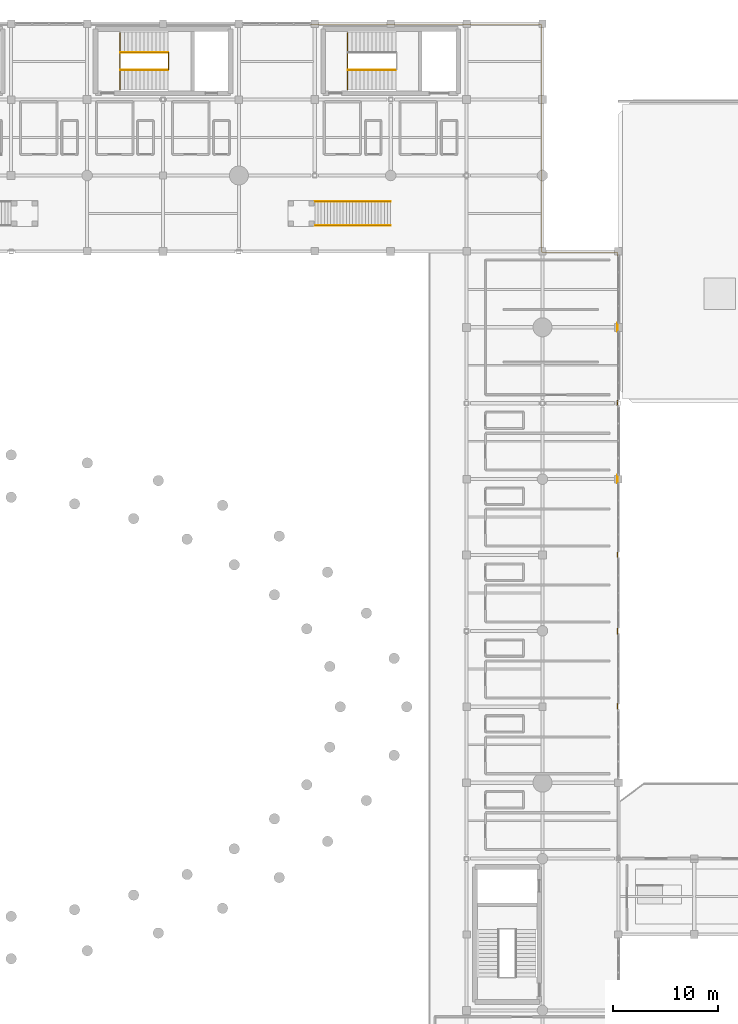
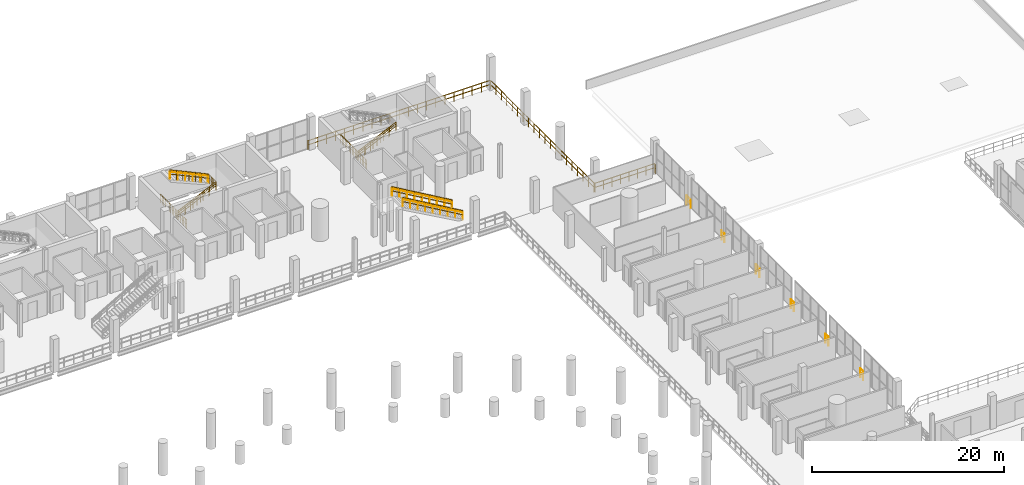
# One storey, part 126 of 130: 20 railings.
"""IFC4 building model written with IfcOpenShell, lengths in metres."""

from ifc_helpers import new_model, si_unit, direction, frame, origin, origin_2d, place, context, subcontext, project, spatial, circle, extrude, material, type_object, element, save


model = new_model("IFC4")

# Units and contexts
model_context = context("Model", 3, precision=1e-05, world=origin(), true_north=direction((0.0, 1.0)))
body_context = subcontext(model_context, "Body", "Model", "MODEL_VIEW")
ifc_project = project(units=[si_unit("LENGTHUNIT", "METRE"), si_unit("AREAUNIT", "SQUARE_METRE"), si_unit("VOLUMEUNIT", "CUBIC_METRE"), si_unit("PLANEANGLEUNIT", "RADIAN"), si_unit("MASSUNIT", "GRAM", prefix="KILO")], contexts=[model_context])

# Site, building, storey
site_placement = place(None, origin())
site = spatial("IfcSite", under=ifc_project, at=site_placement, CompositionType="ELEMENT")
building_placement = place(site_placement, origin())
building = spatial("IfcBuilding", under=site, at=building_placement, Name="Qandorah Velis Arena", CompositionType="ELEMENT")
storey_placement = place(building_placement, frame((0.0, 0.0, 9.60009765625)))
storey = spatial("IfcBuildingStorey", under=building, at=storey_placement, Name="L02", CompositionType="ELEMENT", Elevation=9.60009765625)

# Railings
ifc_material = material(Name="Stainless steel 316", Category="steel")
railing_type_1 = type_object("IfcRailingType", Name="ARC-RL-GRD1150", PredefinedType="GUARDRAIL", material=ifc_material)
railing_1_placement = place(storey_placement, frame((75.110107421875, 123.360107421875, 0.0)))
element("IfcRailing", 1, at=railing_1_placement, inside=storey, type_object=railing_type_1, Name="Stair ST4 landing well-slot guardrail L02", PredefinedType="GUARDRAIL", context=body_context, shape_type="SweptSolid", body=[
    extrude(circle(Radius=0.02392578125, at=origin_2d()), frame((0.0, 0.0, 1.1259765625), z_axis=(0.0, 1.0, 0.0), x_axis=(-1.0, 0.0, 0.0)), (0.0, 0.0, 1.0), 5.3798828125),
    extrude(circle(Radius=0.02392578125, at=origin_2d()), frame((0.0, 0.0, 0.597900390625), z_axis=(0.0, 1.0, 0.0), x_axis=(-1.0, 0.0, 0.0)), (0.0, 0.0, 1.0), 5.3798828125),
    extrude(circle(Radius=0.02099609375, at=origin_2d()), origin(), (0.0, 0.0, 1.0), 1.101806640625),
    extrude(circle(Radius=0.02099609375, at=origin_2d()), frame((0.0, 0.298828125, 0.0)), (0.0, 0.0, 1.0), 1.101806640625),
    extrude(circle(Radius=0.02099609375, at=origin_2d()), frame((0.0, 0.59765625, 0.0)), (0.0, 0.0, 1.0), 1.101806640625),
    extrude(circle(Radius=0.02099609375, at=origin_2d()), frame((0.0, 0.896728515625, 0.0)), (0.0, 0.0, 1.0), 1.101806640625),
    extrude(circle(Radius=0.02099609375, at=origin_2d()), frame((0.0, 1.195556640625, 0.0)), (0.0, 0.0, 1.0), 1.101806640625),
    extrude(circle(Radius=0.02099609375, at=origin_2d()), frame((0.0, 1.494384765625, 0.0)), (0.0, 0.0, 1.0), 1.101806640625),
    extrude(circle(Radius=0.02099609375, at=origin_2d()), frame((0.0, 1.793212890625, 0.0)), (0.0, 0.0, 1.0), 1.101806640625),
    extrude(circle(Radius=0.02099609375, at=origin_2d()), frame((0.0, 2.09228515625, 0.0)), (0.0, 0.0, 1.0), 1.101806640625),
    extrude(circle(Radius=0.02099609375, at=origin_2d()), frame((0.0, 2.39111328125, 0.0)), (0.0, 0.0, 1.0), 1.101806640625),
    extrude(circle(Radius=0.02099609375, at=origin_2d()), frame((0.0, 2.68994140625, 0.0)), (0.0, 0.0, 1.0), 1.101806640625),
    extrude(circle(Radius=0.02099609375, at=origin_2d()), frame((0.0, 2.98876953125, 0.0)), (0.0, 0.0, 1.0), 1.101806640625),
    extrude(circle(Radius=0.02099609375, at=origin_2d()), frame((0.0, 3.28759765625, 0.0)), (0.0, 0.0, 1.0), 1.101806640625),
    extrude(circle(Radius=0.02099609375, at=origin_2d()), frame((0.0, 3.586669921875, 0.0)), (0.0, 0.0, 1.0), 1.101806640625),
    extrude(circle(Radius=0.02099609375, at=origin_2d()), frame((0.0, 3.885498046875, 0.0)), (0.0, 0.0, 1.0), 1.101806640625),
    extrude(circle(Radius=0.02099609375, at=origin_2d()), frame((0.0, 4.184326171875, 0.0)), (0.0, 0.0, 1.0), 1.101806640625),
    extrude(circle(Radius=0.02099609375, at=origin_2d()), frame((0.0, 4.483154296875, 0.0)), (0.0, 0.0, 1.0), 1.101806640625),
    extrude(circle(Radius=0.02099609375, at=origin_2d()), frame((0.0, 4.7822265625, 0.0)), (0.0, 0.0, 1.0), 1.101806640625),
    extrude(circle(Radius=0.02099609375, at=origin_2d()), frame((0.0, 5.0810546875, 0.0)), (0.0, 0.0, 1.0), 1.101806640625),
    extrude(circle(Radius=0.02099609375, at=origin_2d()), frame((0.0, 5.3798828125, 0.0)), (0.0, 0.0, 1.0), 1.101806640625),
])
railing_2_placement = place(storey_placement, frame((79.74609375, 125.239990234375, 2.099853515625)))
element("IfcRailing", 2, at=railing_2_placement, inside=storey, type_object=railing_type_1, Name="Stair ST4 well guardrail (L02)", PredefinedType="GUARDRAIL", context=body_context, shape_type="SweptSolid", body=[
    extrude(circle(Radius=0.02392578125, at=origin_2d()), frame((0.0, 0.0, 1.1259765625), z_axis=(0.0, 1.0, 0.0), x_axis=(-1.0, 0.0, 0.0)), (0.0, 0.0, 1.0), 1.6201171875),
    extrude(circle(Radius=0.02392578125, at=origin_2d()), frame((0.0, 0.0, 0.597900390625), z_axis=(0.0, 1.0, 0.0), x_axis=(-1.0, 0.0, 0.0)), (0.0, 0.0, 1.0), 1.6201171875),
    extrude(circle(Radius=0.02099609375, at=origin_2d()), origin(), (0.0, 0.0, 1.0), 1.101806640625),
    extrude(circle(Radius=0.02099609375, at=origin_2d()), frame((0.0, 0.27001953125, 0.0)), (0.0, 0.0, 1.0), 1.101806640625),
    extrude(circle(Radius=0.02099609375, at=origin_2d()), frame((0.0, 0.5400390625, 0.0)), (0.0, 0.0, 1.0), 1.101806640625),
    extrude(circle(Radius=0.02099609375, at=origin_2d()), frame((0.0, 0.81005859375, 0.0)), (0.0, 0.0, 1.0), 1.101806640625),
    extrude(circle(Radius=0.02099609375, at=origin_2d()), frame((0.0, 1.080078125, 0.0)), (0.0, 0.0, 1.0), 1.101806640625),
    extrude(circle(Radius=0.02099609375, at=origin_2d()), frame((0.0, 1.35009765625, 0.0)), (0.0, 0.0, 1.0), 1.101806640625),
    extrude(circle(Radius=0.02099609375, at=origin_2d()), frame((0.0, 1.6201171875, 0.0)), (0.0, 0.0, 1.0), 1.101806640625),
])
railing_3_placement = place(storey_placement, frame((75.14990234375, 125.22998046875, 0.0)))
element("IfcRailing", 3, at=railing_3_placement, inside=storey, type_object=railing_type_1, Name="Stair ST4 inner flight 1 guardrail (L02)", PredefinedType="GUARDRAIL", context=body_context, shape_type="SweptSolid", body=[
    extrude(circle(Radius=0.02392578125, at=origin_2d()), frame((0.0, 0.0, 1.1259765625), z_axis=(0.907482768716, 0.0, 0.420089305367), x_axis=(0.0, 1.0, 0.0)), (0.0, 0.0, 1.0), 4.99853515625),
    extrude(circle(Radius=0.02392578125, at=origin_2d()), frame((0.0, 0.0, 0.597900390625), z_axis=(0.907482768716, 0.0, 0.420089305367), x_axis=(0.0, 1.0, 0.0)), (0.0, 0.0, 1.0), 4.99853515625),
    extrude(circle(Radius=0.02099609375, at=origin_2d()), origin(), (0.0, 0.0, 1.0), 1.101806640625),
    extrude(circle(Radius=0.02099609375, at=origin_2d()), frame((0.756103515625, 0.0, 0.35009765625)), (0.0, 0.0, 1.0), 1.101806640625),
    extrude(circle(Radius=0.02099609375, at=origin_2d()), frame((1.511962890625, 0.0, 0.699951171875)), (0.0, 0.0, 1.0), 1.101806640625),
    extrude(circle(Radius=0.02099609375, at=origin_2d()), frame((2.26806640625, 0.0, 1.0498046875)), (0.0, 0.0, 1.0), 1.101806640625),
    extrude(circle(Radius=0.02099609375, at=origin_2d()), frame((3.024169921875, 0.0, 1.39990234375)), (0.0, 0.0, 1.0), 1.101806640625),
    extrude(circle(Radius=0.02099609375, at=origin_2d()), frame((3.780029296875, 0.0, 1.75)), (0.0, 0.0, 1.0), 1.101806640625),
    extrude(circle(Radius=0.02099609375, at=origin_2d()), frame((4.5361328125, 0.0, 2.099853515625)), (0.0, 0.0, 1.0), 1.101806640625),
])
railing_4_placement = place(storey_placement, frame((79.68603515625, 126.8701171875, 2.099853515625)))
element("IfcRailing", 4, at=railing_4_placement, inside=storey, type_object=railing_type_1, Name="Stair ST4 inner flight 2 guardrail (L02)", PredefinedType="GUARDRAIL", context=body_context, shape_type="SweptSolid", body=[
    extrude(circle(Radius=0.02392578125, at=origin_2d()), frame((0.0, 0.0, 1.1259765625), z_axis=(-0.907464148506, 0.0, 0.420129526666), x_axis=(0.0, -1.0, 0.0)), (0.0, 0.0, 1.0), 4.998779296875),
    extrude(circle(Radius=0.02392578125, at=origin_2d()), frame((0.0, 0.0, 0.597900390625), z_axis=(-0.907464148506, 0.0, 0.420129526666), x_axis=(0.0, -1.0, 0.0)), (0.0, 0.0, 1.0), 4.998779296875),
    extrude(circle(Radius=0.02099609375, at=origin_2d()), origin(), (0.0, 0.0, 1.0), 1.101806640625),
    extrude(circle(Radius=0.02099609375, at=origin_2d()), frame((-0.756103515625, 0.0, 0.35009765625)), (0.0, 0.0, 1.0), 1.101806640625),
    extrude(circle(Radius=0.02099609375, at=origin_2d()), frame((-1.511962890625, 0.0, 0.699951171875)), (0.0, 0.0, 1.0), 1.101806640625),
    extrude(circle(Radius=0.02099609375, at=origin_2d()), frame((-2.26806640625, 0.0, 1.050048828125)), (0.0, 0.0, 1.0), 1.101806640625),
    extrude(circle(Radius=0.02099609375, at=origin_2d()), frame((-3.024169921875, 0.0, 1.400146484375)), (0.0, 0.0, 1.0), 1.101806640625),
    extrude(circle(Radius=0.02099609375, at=origin_2d()), frame((-3.780029296875, 0.0, 1.75)), (0.0, 0.0, 1.0), 1.101806640625),
    extrude(circle(Radius=0.02099609375, at=origin_2d()), frame((-4.5361328125, 0.0, 2.10009765625)), (0.0, 0.0, 1.0), 1.101806640625),
])
railing_5_placement = place(storey_placement, frame((96.7099609375, 123.360107421875, 0.0)))
element("IfcRailing", 5, at=railing_5_placement, inside=storey, type_object=railing_type_1, Name="Stair ST12 landing well-slot guardrail L02", PredefinedType="GUARDRAIL", context=body_context, shape_type="SweptSolid", body=[
    extrude(circle(Radius=0.02392578125, at=origin_2d()), frame((0.0, 0.0, 1.1259765625), z_axis=(0.0, 1.0, 0.0), x_axis=(-1.0, 0.0, 0.0)), (0.0, 0.0, 1.0), 5.3798828125),
    extrude(circle(Radius=0.02392578125, at=origin_2d()), frame((0.0, 0.0, 0.597900390625), z_axis=(0.0, 1.0, 0.0), x_axis=(-1.0, 0.0, 0.0)), (0.0, 0.0, 1.0), 5.3798828125),
    extrude(circle(Radius=0.02099609375, at=origin_2d()), origin(), (0.0, 0.0, 1.0), 1.101806640625),
    extrude(circle(Radius=0.02099609375, at=origin_2d()), frame((0.0, 0.298828125, 0.0)), (0.0, 0.0, 1.0), 1.101806640625),
    extrude(circle(Radius=0.02099609375, at=origin_2d()), frame((0.0, 0.59765625, 0.0)), (0.0, 0.0, 1.0), 1.101806640625),
    extrude(circle(Radius=0.02099609375, at=origin_2d()), frame((0.0, 0.896728515625, 0.0)), (0.0, 0.0, 1.0), 1.101806640625),
    extrude(circle(Radius=0.02099609375, at=origin_2d()), frame((0.0, 1.195556640625, 0.0)), (0.0, 0.0, 1.0), 1.101806640625),
    extrude(circle(Radius=0.02099609375, at=origin_2d()), frame((0.0, 1.494384765625, 0.0)), (0.0, 0.0, 1.0), 1.101806640625),
    extrude(circle(Radius=0.02099609375, at=origin_2d()), frame((0.0, 1.793212890625, 0.0)), (0.0, 0.0, 1.0), 1.101806640625),
    extrude(circle(Radius=0.02099609375, at=origin_2d()), frame((0.0, 2.09228515625, 0.0)), (0.0, 0.0, 1.0), 1.101806640625),
    extrude(circle(Radius=0.02099609375, at=origin_2d()), frame((0.0, 2.39111328125, 0.0)), (0.0, 0.0, 1.0), 1.101806640625),
    extrude(circle(Radius=0.02099609375, at=origin_2d()), frame((0.0, 2.68994140625, 0.0)), (0.0, 0.0, 1.0), 1.101806640625),
    extrude(circle(Radius=0.02099609375, at=origin_2d()), frame((0.0, 2.98876953125, 0.0)), (0.0, 0.0, 1.0), 1.101806640625),
    extrude(circle(Radius=0.02099609375, at=origin_2d()), frame((0.0, 3.28759765625, 0.0)), (0.0, 0.0, 1.0), 1.101806640625),
    extrude(circle(Radius=0.02099609375, at=origin_2d()), frame((0.0, 3.586669921875, 0.0)), (0.0, 0.0, 1.0), 1.101806640625),
    extrude(circle(Radius=0.02099609375, at=origin_2d()), frame((0.0, 3.885498046875, 0.0)), (0.0, 0.0, 1.0), 1.101806640625),
    extrude(circle(Radius=0.02099609375, at=origin_2d()), frame((0.0, 4.184326171875, 0.0)), (0.0, 0.0, 1.0), 1.101806640625),
    extrude(circle(Radius=0.02099609375, at=origin_2d()), frame((0.0, 4.483154296875, 0.0)), (0.0, 0.0, 1.0), 1.101806640625),
    extrude(circle(Radius=0.02099609375, at=origin_2d()), frame((0.0, 4.7822265625, 0.0)), (0.0, 0.0, 1.0), 1.101806640625),
    extrude(circle(Radius=0.02099609375, at=origin_2d()), frame((0.0, 5.0810546875, 0.0)), (0.0, 0.0, 1.0), 1.101806640625),
    extrude(circle(Radius=0.02099609375, at=origin_2d()), frame((0.0, 5.3798828125, 0.0)), (0.0, 0.0, 1.0), 1.101806640625),
])
railing_6_placement = place(storey_placement, frame((96.75, 125.22998046875, 0.0)))
element("IfcRailing", 6, at=railing_6_placement, inside=storey, type_object=railing_type_1, Name="Stair ST12 inner flight 1 guardrail (L02)", PredefinedType="GUARDRAIL", context=body_context, shape_type="SweptSolid", body=[
    extrude(circle(Radius=0.02392578125, at=origin_2d()), frame((0.0, 0.0, 1.1259765625), z_axis=(0.907474148765, 0.0, 0.420107925805), x_axis=(0.0, 1.0, 0.0)), (0.0, 0.0, 1.0), 4.998291015625),
    extrude(circle(Radius=0.02392578125, at=origin_2d()), frame((0.0, 0.0, 0.597900390625), z_axis=(0.907474148765, 0.0, 0.420107925805), x_axis=(0.0, 1.0, 0.0)), (0.0, 0.0, 1.0), 4.998291015625),
    extrude(circle(Radius=0.02099609375, at=origin_2d()), origin(), (0.0, 0.0, 1.0), 1.101806640625),
    extrude(circle(Radius=0.02099609375, at=origin_2d()), frame((0.755859375, 0.0, 0.35009765625)), (0.0, 0.0, 1.0), 1.101806640625),
    extrude(circle(Radius=0.02099609375, at=origin_2d()), frame((1.511962890625, 0.0, 0.699951171875)), (0.0, 0.0, 1.0), 1.101806640625),
    extrude(circle(Radius=0.02099609375, at=origin_2d()), frame((2.26806640625, 0.0, 1.0498046875)), (0.0, 0.0, 1.0), 1.101806640625),
    extrude(circle(Radius=0.02099609375, at=origin_2d()), frame((3.02392578125, 0.0, 1.39990234375)), (0.0, 0.0, 1.0), 1.101806640625),
    extrude(circle(Radius=0.02099609375, at=origin_2d()), frame((3.77978515625, 0.0, 1.75)), (0.0, 0.0, 1.0), 1.101806640625),
    extrude(circle(Radius=0.02099609375, at=origin_2d()), frame((4.535888671875, 0.0, 2.099853515625)), (0.0, 0.0, 1.0), 1.101806640625),
])
for number, where, name in (
    (7, (100.800048828125, 110.47998046875, 0.0), "Vomitory VS14 left guard (L02)"),
    (8, (100.800048828125, 112.719970703125, 0.0), "Vomitory VS14 right guard (L02)"),
):
    element("IfcRailing", number, at=place(storey_placement, frame(where)), inside=storey, type_object=railing_type_1, Name=name, PredefinedType="GUARDRAIL", context=body_context, shape_type="SweptSolid", body=[
        extrude(circle(Radius=0.02392578125, at=origin_2d()), frame((0.0, 0.0, 1.1259765625), z_axis=(-0.863779963214, 0.0, 0.503869204407), x_axis=(0.0, -1.0, 0.0)), (0.0, 0.0, 1.0), 8.33544921875),
        extrude(circle(Radius=0.02392578125, at=origin_2d()), frame((0.0, 0.0, 0.597900390625), z_axis=(-0.863779963214, 0.0, 0.503869204407), x_axis=(0.0, -1.0, 0.0)), (0.0, 0.0, 1.0), 8.33544921875),
        extrude(circle(Radius=0.02099609375, at=origin_2d()), origin(), (0.0, 0.0, 1.0), 1.101806640625),
        extrude(circle(Radius=0.02099609375, at=origin_2d()), frame((-0.89990234375, 0.0, 0.52490234375)), (0.0, 0.0, 1.0), 1.101806640625),
        extrude(circle(Radius=0.02099609375, at=origin_2d()), frame((-1.800048828125, 0.0, 1.050048828125)), (0.0, 0.0, 1.0), 1.101806640625),
        extrude(circle(Radius=0.02099609375, at=origin_2d()), frame((-2.699951171875, 0.0, 1.574951171875)), (0.0, 0.0, 1.0), 1.101806640625),
        extrude(circle(Radius=0.02099609375, at=origin_2d()), frame((-3.60009765625, 0.0, 2.10009765625)), (0.0, 0.0, 1.0), 1.101806640625),
        extrude(circle(Radius=0.02099609375, at=origin_2d()), frame((-4.5, 0.0, 2.625)), (0.0, 0.0, 1.0), 1.101806640625),
        extrude(circle(Radius=0.02099609375, at=origin_2d()), frame((-5.39990234375, 0.0, 3.14990234375)), (0.0, 0.0, 1.0), 1.101806640625),
        extrude(circle(Radius=0.02099609375, at=origin_2d()), frame((-6.300048828125, 0.0, 3.675048828125)), (0.0, 0.0, 1.0), 1.101806640625),
        extrude(circle(Radius=0.02099609375, at=origin_2d()), frame((-7.199951171875, 0.0, 4.199951171875)), (0.0, 0.0, 1.0), 1.101806640625),
    ])
railing_7_placement = place(storey_placement, frame((93.22509765625, 129.5, 0.0)))
element("IfcRailing", 9, at=railing_7_placement, inside=storey, type_object=railing_type_1, Name="Slab edge safety guardrail L02-145", PredefinedType="GUARDRAIL", context=body_context, shape_type="SweptSolid", body=[
    extrude(circle(Radius=0.02392578125, at=origin_2d()), frame((0.0, 0.0, 1.1259765625), z_axis=(1.0, 0.0, 0.0), x_axis=(0.0, 1.0, 0.0)), (0.0, 0.0, 1.0), 21.875),
    extrude(circle(Radius=0.02392578125, at=origin_2d()), frame((0.0, 0.0, 0.597900390625), z_axis=(1.0, 0.0, 0.0), x_axis=(0.0, 1.0, 0.0)), (0.0, 0.0, 1.0), 21.875),
    extrude(circle(Radius=0.02392578125, at=origin_2d()), frame((21.875, 0.0, 1.1259765625), z_axis=(0.0, -1.0, 0.0), x_axis=(1.0, 0.0, 0.0)), (0.0, 0.0, 1.0), 21.5),
    extrude(circle(Radius=0.02392578125, at=origin_2d()), frame((21.875, 0.0, 0.597900390625), z_axis=(0.0, -1.0, 0.0), x_axis=(1.0, 0.0, 0.0)), (0.0, 0.0, 1.0), 21.5),
    extrude(circle(Radius=0.02392578125, at=origin_2d()), frame((21.875, -21.5, 1.1259765625), z_axis=(0.633342614097, -0.773871522392, 0.0), x_axis=(0.773871522392, 0.633342614097, 0.0)), (0.0, 0.0, 1.0), 0.126708984375),
    extrude(circle(Radius=0.02392578125, at=origin_2d()), frame((21.875, -21.5, 0.597900390625), z_axis=(0.633342614097, -0.773871522392, 0.0), x_axis=(0.773871522392, 0.633342614097, 0.0)), (0.0, 0.0, 1.0), 0.126708984375),
    extrude(circle(Radius=0.02392578125, at=origin_2d()), frame((21.955322265625, -21.59814453125, 1.1259765625), z_axis=(0.999999962372, -0.000274329597, 0.0), x_axis=(0.000274329597, 0.999999962372, 0.0)), (0.0, 0.0, 1.0), 7.11962890625),
    extrude(circle(Radius=0.02392578125, at=origin_2d()), frame((21.955322265625, -21.59814453125, 0.597900390625), z_axis=(0.999999962372, -0.000274329597, 0.0), x_axis=(0.000274329597, 0.999999962372, 0.0)), (0.0, 0.0, 1.0), 7.11962890625),
    extrude(circle(Radius=0.02392578125, at=origin_2d()), frame((29.074951171875, -21.60009765625, 1.1259765625), z_axis=(0.0, -1.0, 0.0), x_axis=(1.0, 0.0, 0.0)), (0.0, 0.0, 1.0), 0.27490234375),
    extrude(circle(Radius=0.02392578125, at=origin_2d()), frame((29.074951171875, -21.60009765625, 0.597900390625), z_axis=(0.0, -1.0, 0.0), x_axis=(1.0, 0.0, 0.0)), (0.0, 0.0, 1.0), 0.27490234375),
    extrude(circle(Radius=0.02099609375, at=origin_2d()), origin(), (0.0, 0.0, 1.0), 1.101806640625),
    extrude(circle(Radius=0.02099609375, at=origin_2d()), frame((1.09375, 0.0, 0.0)), (0.0, 0.0, 1.0), 1.101806640625),
    extrude(circle(Radius=0.02099609375, at=origin_2d()), frame((2.1875, 0.0, 0.0)), (0.0, 0.0, 1.0), 1.101806640625),
    extrude(circle(Radius=0.02099609375, at=origin_2d()), frame((3.28125, 0.0, 0.0)), (0.0, 0.0, 1.0), 1.101806640625),
    extrude(circle(Radius=0.02099609375, at=origin_2d()), frame((4.375, 0.0, 0.0)), (0.0, 0.0, 1.0), 1.101806640625),
    extrude(circle(Radius=0.02099609375, at=origin_2d()), frame((5.46875, 0.0, 0.0)), (0.0, 0.0, 1.0), 1.101806640625),
    extrude(circle(Radius=0.02099609375, at=origin_2d()), frame((6.5625, 0.0, 0.0)), (0.0, 0.0, 1.0), 1.101806640625),
    extrude(circle(Radius=0.02099609375, at=origin_2d()), frame((7.65625, 0.0, 0.0)), (0.0, 0.0, 1.0), 1.101806640625),
    extrude(circle(Radius=0.02099609375, at=origin_2d()), frame((8.75, 0.0, 0.0)), (0.0, 0.0, 1.0), 1.101806640625),
    extrude(circle(Radius=0.02099609375, at=origin_2d()), frame((9.84375, 0.0, 0.0)), (0.0, 0.0, 1.0), 1.101806640625),
    extrude(circle(Radius=0.02099609375, at=origin_2d()), frame((10.9375, 0.0, 0.0)), (0.0, 0.0, 1.0), 1.101806640625),
    extrude(circle(Radius=0.02099609375, at=origin_2d()), frame((12.03125, 0.0, 0.0)), (0.0, 0.0, 1.0), 1.101806640625),
    extrude(circle(Radius=0.02099609375, at=origin_2d()), frame((13.125, 0.0, 0.0)), (0.0, 0.0, 1.0), 1.101806640625),
    extrude(circle(Radius=0.02099609375, at=origin_2d()), frame((14.21875, 0.0, 0.0)), (0.0, 0.0, 1.0), 1.101806640625),
    extrude(circle(Radius=0.02099609375, at=origin_2d()), frame((15.3125, 0.0, 0.0)), (0.0, 0.0, 1.0), 1.101806640625),
    extrude(circle(Radius=0.02099609375, at=origin_2d()), frame((16.40625, 0.0, 0.0)), (0.0, 0.0, 1.0), 1.101806640625),
    extrude(circle(Radius=0.02099609375, at=origin_2d()), frame((17.5, 0.0, 0.0)), (0.0, 0.0, 1.0), 1.101806640625),
    extrude(circle(Radius=0.02099609375, at=origin_2d()), frame((18.59375, 0.0, 0.0)), (0.0, 0.0, 1.0), 1.101806640625),
    extrude(circle(Radius=0.02099609375, at=origin_2d()), frame((19.6875, 0.0, 0.0)), (0.0, 0.0, 1.0), 1.101806640625),
    extrude(circle(Radius=0.02099609375, at=origin_2d()), frame((20.78125, 0.0, 0.0)), (0.0, 0.0, 1.0), 1.101806640625),
    extrude(circle(Radius=0.02099609375, at=origin_2d()), frame((21.875, 0.0, 0.0)), (0.0, 0.0, 1.0), 1.101806640625),
    extrude(circle(Radius=0.02099609375, at=origin_2d()), frame((21.875, -1.131591796875, 0.0)), (0.0, 0.0, 1.0), 1.101806640625),
    extrude(circle(Radius=0.02099609375, at=origin_2d()), frame((21.875, -2.26318359375, 0.0)), (0.0, 0.0, 1.0), 1.101806640625),
    extrude(circle(Radius=0.02099609375, at=origin_2d()), frame((21.875, -3.394775390625, 0.0)), (0.0, 0.0, 1.0), 1.101806640625),
    extrude(circle(Radius=0.02099609375, at=origin_2d()), frame((21.875, -4.5263671875, 0.0)), (0.0, 0.0, 1.0), 1.101806640625),
    extrude(circle(Radius=0.02099609375, at=origin_2d()), frame((21.875, -5.657958984375, 0.0)), (0.0, 0.0, 1.0), 1.101806640625),
    extrude(circle(Radius=0.02099609375, at=origin_2d()), frame((21.875, -6.78955078125, 0.0)), (0.0, 0.0, 1.0), 1.101806640625),
    extrude(circle(Radius=0.02099609375, at=origin_2d()), frame((21.875, -7.921142578125, 0.0)), (0.0, 0.0, 1.0), 1.101806640625),
    extrude(circle(Radius=0.02099609375, at=origin_2d()), frame((21.875, -9.052734375, 0.0)), (0.0, 0.0, 1.0), 1.101806640625),
    extrude(circle(Radius=0.02099609375, at=origin_2d()), frame((21.875, -10.184326171875, 0.0)), (0.0, 0.0, 1.0), 1.101806640625),
    extrude(circle(Radius=0.02099609375, at=origin_2d()), frame((21.875, -11.315673828125, 0.0)), (0.0, 0.0, 1.0), 1.101806640625),
    extrude(circle(Radius=0.02099609375, at=origin_2d()), frame((21.875, -12.447265625, 0.0)), (0.0, 0.0, 1.0), 1.101806640625),
    extrude(circle(Radius=0.02099609375, at=origin_2d()), frame((21.875, -13.578857421875, 0.0)), (0.0, 0.0, 1.0), 1.101806640625),
    extrude(circle(Radius=0.02099609375, at=origin_2d()), frame((21.875, -14.71044921875, 0.0)), (0.0, 0.0, 1.0), 1.101806640625),
    extrude(circle(Radius=0.02099609375, at=origin_2d()), frame((21.875, -15.842041015625, 0.0)), (0.0, 0.0, 1.0), 1.101806640625),
    extrude(circle(Radius=0.02099609375, at=origin_2d()), frame((21.875, -16.9736328125, 0.0)), (0.0, 0.0, 1.0), 1.101806640625),
    extrude(circle(Radius=0.02099609375, at=origin_2d()), frame((21.875, -18.105224609375, 0.0)), (0.0, 0.0, 1.0), 1.101806640625),
    extrude(circle(Radius=0.02099609375, at=origin_2d()), frame((21.875, -19.23681640625, 0.0)), (0.0, 0.0, 1.0), 1.101806640625),
    extrude(circle(Radius=0.02099609375, at=origin_2d()), frame((21.875, -20.368408203125, 0.0)), (0.0, 0.0, 1.0), 1.101806640625),
    extrude(circle(Radius=0.02099609375, at=origin_2d()), frame((21.875, -21.5, 0.0)), (0.0, 0.0, 1.0), 1.101806640625),
    extrude(circle(Radius=0.02099609375, at=origin_2d()), frame((21.955322265625, -21.59814453125, 0.0)), (0.0, 0.0, 1.0), 1.101806640625),
    extrude(circle(Radius=0.02099609375, at=origin_2d()), frame((22.972412109375, -21.598388671875, 0.0)), (0.0, 0.0, 1.0), 1.101806640625),
    extrude(circle(Radius=0.02099609375, at=origin_2d()), frame((23.989501953125, -21.5986328125, 0.0)), (0.0, 0.0, 1.0), 1.101806640625),
    extrude(circle(Radius=0.02099609375, at=origin_2d()), frame((25.006591796875, -21.598876953125, 0.0)), (0.0, 0.0, 1.0), 1.101806640625),
    extrude(circle(Radius=0.02099609375, at=origin_2d()), frame((26.023681640625, -21.599365234375, 0.0)), (0.0, 0.0, 1.0), 1.101806640625),
    extrude(circle(Radius=0.02099609375, at=origin_2d()), frame((27.040771484375, -21.599609375, 0.0)), (0.0, 0.0, 1.0), 1.101806640625),
    extrude(circle(Radius=0.02099609375, at=origin_2d()), frame((28.057861328125, -21.599853515625, 0.0)), (0.0, 0.0, 1.0), 1.101806640625),
    extrude(circle(Radius=0.02099609375, at=origin_2d()), frame((29.074951171875, -21.60009765625, 0.0)), (0.0, 0.0, 1.0), 1.101806640625),
    extrude(circle(Radius=0.02099609375, at=origin_2d()), frame((29.074951171875, -21.875, 0.0)), (0.0, 0.0, 1.0), 1.101806640625),
])
railing_8_placement = place(storey_placement, frame((122.300048828125, 101.199951171875, 0.0)))
element("IfcRailing", 10, at=railing_8_placement, inside=storey, type_object=railing_type_1, Name="Slab edge safety guardrail L02-146", PredefinedType="GUARDRAIL", context=body_context, shape_type="SweptSolid", body=[
    extrude(circle(Radius=0.02392578125, at=origin_2d()), frame((0.0, 0.0, 1.1259765625), z_axis=(0.0, -1.0, 0.0), x_axis=(1.0, 0.0, 0.0)), (0.0, 0.0, 1.0), 0.800048828125),
    extrude(circle(Radius=0.02392578125, at=origin_2d()), frame((0.0, 0.0, 0.597900390625), z_axis=(0.0, -1.0, 0.0), x_axis=(1.0, 0.0, 0.0)), (0.0, 0.0, 1.0), 0.800048828125),
    extrude(circle(Radius=0.02099609375, at=origin_2d()), origin(), (0.0, 0.0, 1.0), 1.101806640625),
    extrude(circle(Radius=0.02099609375, at=origin_2d()), frame((0.0, -0.800048828125, 0.0)), (0.0, 0.0, 1.0), 1.101806640625),
])
railing_9_placement = place(storey_placement, frame((122.300048828125, 93.89990234375, 0.0)))
element("IfcRailing", 11, at=railing_9_placement, inside=storey, type_object=railing_type_1, Name="Slab edge safety guardrail L02-147", PredefinedType="GUARDRAIL", context=body_context, shape_type="SweptSolid", body=[
    extrude(circle(Radius=0.02392578125, at=origin_2d()), frame((0.0, 0.0, 1.1259765625), z_axis=(0.0, -1.0, 0.0), x_axis=(1.0, 0.0, 0.0)), (0.0, 0.0, 1.0), 0.599853515625),
    extrude(circle(Radius=0.02392578125, at=origin_2d()), frame((0.0, 0.0, 0.597900390625), z_axis=(0.0, -1.0, 0.0), x_axis=(1.0, 0.0, 0.0)), (0.0, 0.0, 1.0), 0.599853515625),
    extrude(circle(Radius=0.02099609375, at=origin_2d()), origin(), (0.0, 0.0, 1.0), 1.101806640625),
    extrude(circle(Radius=0.02099609375, at=origin_2d()), frame((0.0, -0.599853515625, 0.0)), (0.0, 0.0, 1.0), 1.101806640625),
])
railing_10_placement = place(storey_placement, frame((122.300048828125, 86.77490234375, 0.0)))
element("IfcRailing", 12, at=railing_10_placement, inside=storey, type_object=railing_type_1, Name="Slab edge safety guardrail L02-148", PredefinedType="GUARDRAIL", context=body_context, shape_type="SweptSolid", body=[
    extrude(circle(Radius=0.02392578125, at=origin_2d()), frame((0.0, 0.0, 1.1259765625), z_axis=(0.0, -1.0, 0.0), x_axis=(1.0, 0.0, 0.0)), (0.0, 0.0, 1.0), 0.75),
    extrude(circle(Radius=0.02392578125, at=origin_2d()), frame((0.0, 0.0, 0.597900390625), z_axis=(0.0, -1.0, 0.0), x_axis=(1.0, 0.0, 0.0)), (0.0, 0.0, 1.0), 0.75),
    extrude(circle(Radius=0.02099609375, at=origin_2d()), origin(), (0.0, 0.0, 1.0), 1.101806640625),
    extrude(circle(Radius=0.02099609375, at=origin_2d()), frame((0.0, -0.75, 0.0)), (0.0, 0.0, 1.0), 1.101806640625),
])
for number, where, name in (
    (13, (122.300048828125, 79.5, 0.0), "Slab edge safety guardrail L02-149"),
    (14, (122.300048828125, 72.300048828125, 0.0), "Slab edge safety guardrail L02-150"),
    (15, (122.300048828125, 65.10009765625, 0.0), "Slab edge safety guardrail L02-151"),
):
    element("IfcRailing", number, at=place(storey_placement, frame(where)), inside=storey, type_object=railing_type_1, Name=name, PredefinedType="GUARDRAIL", context=body_context, shape_type="SweptSolid", body=[
        extrude(circle(Radius=0.02392578125, at=origin_2d()), frame((0.0, 0.0, 1.1259765625), z_axis=(0.0, -1.0, 0.0), x_axis=(1.0, 0.0, 0.0)), (0.0, 0.0, 1.0), 0.60009765625),
        extrude(circle(Radius=0.02392578125, at=origin_2d()), frame((0.0, 0.0, 0.597900390625), z_axis=(0.0, -1.0, 0.0), x_axis=(1.0, 0.0, 0.0)), (0.0, 0.0, 1.0), 0.60009765625),
        extrude(circle(Radius=0.02099609375, at=origin_2d()), origin(), (0.0, 0.0, 1.0), 1.101806640625),
        extrude(circle(Radius=0.02099609375, at=origin_2d()), frame((0.0, -0.60009765625, 0.0)), (0.0, 0.0, 1.0), 1.101806640625),
    ])
railing_type_2 = type_object("IfcRailingType", Name="ARC-RL-HND920", PredefinedType="HANDRAIL", material=ifc_material)
railing_11_placement = place(storey_placement, frame((75.14990234375, 125.22998046875, 0.0)))
element("IfcRailing", 16, at=railing_11_placement, inside=storey, type_object=railing_type_2, Name="Stair ST4 inner handrail 1 (L02)", PredefinedType="HANDRAIL", context=body_context, shape_type="SweptSolid", body=[
    extrude(circle(Radius=0.02392578125, at=origin_2d()), frame((0.0, 0.0, 0.89599609375), z_axis=(0.907482768716, 0.0, 0.420089305367), x_axis=(0.0, 1.0, 0.0)), (0.0, 0.0, 1.0), 4.99853515625),
    extrude(circle(Radius=0.02099609375, at=origin_2d()), origin(), (0.0, 0.0, 1.0), 0.871826171875),
    extrude(circle(Radius=0.02099609375, at=origin_2d()), frame((0.9072265625, 0.0, 0.419921875)), (0.0, 0.0, 1.0), 0.871826171875),
    extrude(circle(Radius=0.02099609375, at=origin_2d()), frame((1.814453125, 0.0, 0.83984375)), (0.0, 0.0, 1.0), 0.871826171875),
    extrude(circle(Radius=0.02099609375, at=origin_2d()), frame((2.7216796875, 0.0, 1.260009765625)), (0.0, 0.0, 1.0), 0.871826171875),
    extrude(circle(Radius=0.02099609375, at=origin_2d()), frame((3.62890625, 0.0, 1.679931640625)), (0.0, 0.0, 1.0), 0.871826171875),
    extrude(circle(Radius=0.02099609375, at=origin_2d()), frame((4.5361328125, 0.0, 2.099853515625)), (0.0, 0.0, 1.0), 0.871826171875),
])
railing_12_placement = place(storey_placement, frame((79.68603515625, 126.8701171875, 2.099853515625)))
element("IfcRailing", 17, at=railing_12_placement, inside=storey, type_object=railing_type_2, Name="Stair ST4 inner handrail 2 (L02)", PredefinedType="HANDRAIL", context=body_context, shape_type="SweptSolid", body=[
    extrude(circle(Radius=0.02392578125, at=origin_2d()), frame((0.0, 0.0, 0.89599609375), z_axis=(-0.907464148506, 0.0, 0.420129526666), x_axis=(0.0, -1.0, 0.0)), (0.0, 0.0, 1.0), 4.998779296875),
    extrude(circle(Radius=0.02099609375, at=origin_2d()), origin(), (0.0, 0.0, 1.0), 0.871826171875),
    extrude(circle(Radius=0.02099609375, at=origin_2d()), frame((-0.9072265625, 0.0, 0.419921875)), (0.0, 0.0, 1.0), 0.871826171875),
    extrude(circle(Radius=0.02099609375, at=origin_2d()), frame((-1.814453125, 0.0, 0.840087890625)), (0.0, 0.0, 1.0), 0.871826171875),
    extrude(circle(Radius=0.02099609375, at=origin_2d()), frame((-2.7216796875, 0.0, 1.260009765625)), (0.0, 0.0, 1.0), 0.871826171875),
    extrude(circle(Radius=0.02099609375, at=origin_2d()), frame((-3.62890625, 0.0, 1.68017578125)), (0.0, 0.0, 1.0), 0.871826171875),
    extrude(circle(Radius=0.02099609375, at=origin_2d()), frame((-4.5361328125, 0.0, 2.10009765625)), (0.0, 0.0, 1.0), 0.871826171875),
])
railing_13_placement = place(storey_placement, frame((96.75, 125.22998046875, 0.0)))
element("IfcRailing", 18, at=railing_13_placement, inside=storey, type_object=railing_type_2, Name="Stair ST12 inner handrail 1 (L02)", PredefinedType="HANDRAIL", context=body_context, shape_type="SweptSolid", body=[
    extrude(circle(Radius=0.02392578125, at=origin_2d()), frame((0.0, 0.0, 0.89599609375), z_axis=(0.907474148765, 0.0, 0.420107925805), x_axis=(0.0, 1.0, 0.0)), (0.0, 0.0, 1.0), 4.998291015625),
    extrude(circle(Radius=0.02099609375, at=origin_2d()), origin(), (0.0, 0.0, 1.0), 0.871826171875),
    extrude(circle(Radius=0.02099609375, at=origin_2d()), frame((0.9072265625, 0.0, 0.419921875)), (0.0, 0.0, 1.0), 0.871826171875),
    extrude(circle(Radius=0.02099609375, at=origin_2d()), frame((1.814453125, 0.0, 0.83984375)), (0.0, 0.0, 1.0), 0.871826171875),
    extrude(circle(Radius=0.02099609375, at=origin_2d()), frame((2.721435546875, 0.0, 1.260009765625)), (0.0, 0.0, 1.0), 0.871826171875),
    extrude(circle(Radius=0.02099609375, at=origin_2d()), frame((3.628662109375, 0.0, 1.679931640625)), (0.0, 0.0, 1.0), 0.871826171875),
    extrude(circle(Radius=0.02099609375, at=origin_2d()), frame((4.535888671875, 0.0, 2.099853515625)), (0.0, 0.0, 1.0), 0.871826171875),
])
for number, where, name in (
    (19, (100.800048828125, 110.47998046875, 0.0), "Vomitory VS14 left handrail"),
    (20, (100.800048828125, 112.719970703125, 0.0), "Vomitory VS14 right handrail"),
):
    element("IfcRailing", number, at=place(storey_placement, frame(where)), inside=storey, type_object=railing_type_2, Name=name, PredefinedType="HANDRAIL", context=body_context, shape_type="SweptSolid", body=[
        extrude(circle(Radius=0.02392578125, at=origin_2d()), frame((0.0, 0.0, 0.89599609375), z_axis=(-0.863779963214, 0.0, 0.503869204407), x_axis=(0.0, -1.0, 0.0)), (0.0, 0.0, 1.0), 8.33544921875),
        extrude(circle(Radius=0.02099609375, at=origin_2d()), origin(), (0.0, 0.0, 1.0), 0.871826171875),
        extrude(circle(Radius=0.02099609375, at=origin_2d()), frame((-0.89990234375, 0.0, 0.52490234375)), (0.0, 0.0, 1.0), 0.871826171875),
        extrude(circle(Radius=0.02099609375, at=origin_2d()), frame((-1.800048828125, 0.0, 1.050048828125)), (0.0, 0.0, 1.0), 0.871826171875),
        extrude(circle(Radius=0.02099609375, at=origin_2d()), frame((-2.699951171875, 0.0, 1.574951171875)), (0.0, 0.0, 1.0), 0.871826171875),
        extrude(circle(Radius=0.02099609375, at=origin_2d()), frame((-3.60009765625, 0.0, 2.10009765625)), (0.0, 0.0, 1.0), 0.871826171875),
        extrude(circle(Radius=0.02099609375, at=origin_2d()), frame((-4.5, 0.0, 2.625)), (0.0, 0.0, 1.0), 0.871826171875),
        extrude(circle(Radius=0.02099609375, at=origin_2d()), frame((-5.39990234375, 0.0, 3.14990234375)), (0.0, 0.0, 1.0), 0.871826171875),
        extrude(circle(Radius=0.02099609375, at=origin_2d()), frame((-6.300048828125, 0.0, 3.675048828125)), (0.0, 0.0, 1.0), 0.871826171875),
        extrude(circle(Radius=0.02099609375, at=origin_2d()), frame((-7.199951171875, 0.0, 4.199951171875)), (0.0, 0.0, 1.0), 0.871826171875),
    ])

save(model, "model.ifc")
